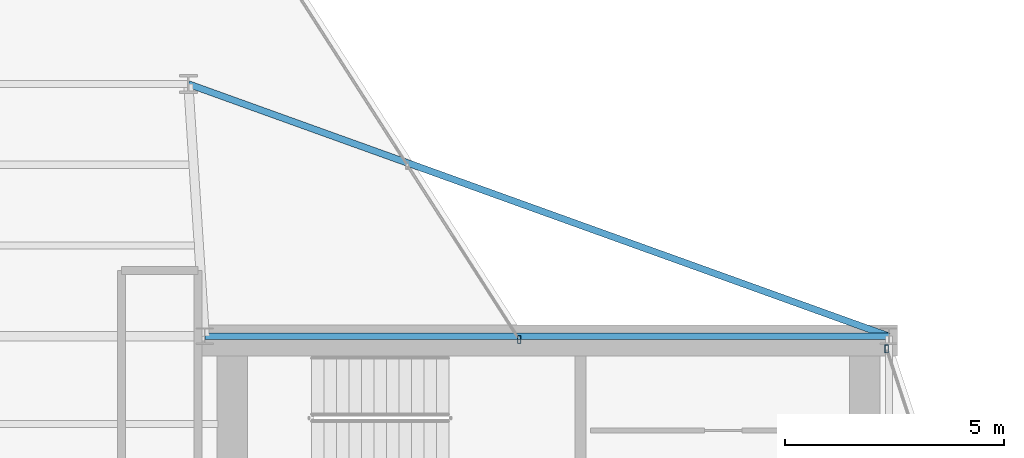
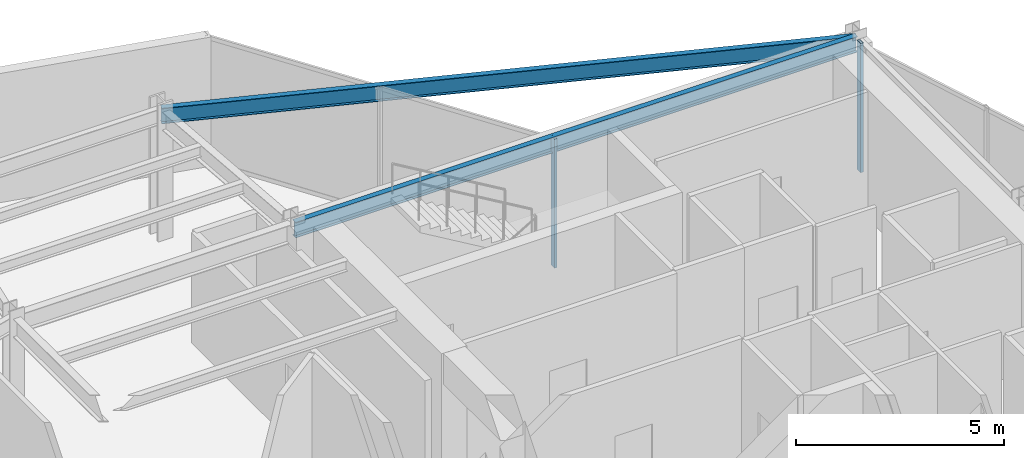
# One storey, part 16 of 23: 2 beams, 2 members, 2 elements without a shape of their own.
"""IFC4 building model written with IfcOpenShell, lengths in metres."""

import ifcopenshell
import ifcopenshell.guid

model = None  # the IFC model being written
_history = None  # IfcOwnerHistory: only IFC2X3 demands one
_inside = {}  # id of a spatial element -> (the spatial element, [elements in it])
_under = {}  # id of a project, library or spatial element -> (it, [spatial elements below it])
_declared = {}  # id of a project -> (the project, [libraries it declares])
_typed = {}  # id of a type object -> (the type object, [elements of that type])
_made_of = {}  # id of a material, layer set ... -> (it, [elements and type objects made of it])


def new_model(schema):
    """Start an empty IFC model of exactly this schema.

    Asked for "IFC4X3", IfcOpenShell would pick the latest addendum, in which some entities
    have other attributes; the version numbers below select the first issue.
    IFC2X3 requires an IfcOwnerHistory on every rooted entity: one is made here for all.
    """
    global model, _history
    if schema == "IFC4X3":
        model = ifcopenshell.file(schema_version=(4, 3, 0, 0))
    else:
        model = ifcopenshell.file(schema=schema)
    _inside.clear()
    _under.clear()
    _declared.clear()
    _typed.clear()
    _made_of.clear()
    _history = None
    if model.schema == "IFC2X3":
        org = make("IfcOrganization", Name="unknown")
        user = make(
            "IfcPersonAndOrganization",
            ThePerson=make("IfcPerson", FamilyName="unknown"),
            TheOrganization=org,
        )
        app = make(
            "IfcApplication",
            ApplicationDeveloper=org,
            Version="unknown",
            ApplicationFullName="unknown",
            ApplicationIdentifier="unknown",
        )
        _history = make(
            "IfcOwnerHistory",
            OwningUser=user,
            OwningApplication=app,
            ChangeAction="ADDED",
            CreationDate=0,
        )
    return model


def make(cls, **values):
    """One entity of the class cls with the attributes given. An attribute that is None is left unset."""
    return model.create_entity(
        cls, **{name: value for name, value in values.items() if value is not None}
    )


def rooted(cls, **values):
    """An entity with a GlobalId (a new one), such as an element, a storey or a relation."""
    return make(cls, GlobalId=ifcopenshell.guid.new(), OwnerHistory=_history, **values)


def si_unit(unit_type, name, prefix=None):
    """IfcSIUnit, for example si_unit("LENGTHUNIT", "METRE", prefix="MILLI")."""
    return make("IfcSIUnit", UnitType=unit_type, Prefix=prefix, Name=name)


def assignment(units):
    """IfcUnitAssignment: the units of a project."""
    return None if units is None else make("IfcUnitAssignment", Units=units)


def point(xyz):
    """IfcCartesianPoint."""
    return None if xyz is None else make("IfcCartesianPoint", Coordinates=xyz)


def direction(xyz):
    """IfcDirection."""
    return None if xyz is None else make("IfcDirection", DirectionRatios=xyz)


def frame(location, z_axis=None, x_axis=None):
    """IfcAxis2Placement3D, a coordinate frame: its origin and axes. An axis left out is left unset."""
    return make(
        "IfcAxis2Placement3D",
        Location=point(location),
        Axis=direction(z_axis),
        RefDirection=direction(x_axis),
    )


def frame_2d(location, x_axis=None):
    """IfcAxis2Placement2D, a coordinate frame in the plane: its origin and x axis."""
    return make(
        "IfcAxis2Placement2D", Location=point(location), RefDirection=direction(x_axis)
    )


def origin():
    """The frame at (0, 0, 0) with its axes left unset."""
    return frame((0.0, 0.0, 0.0))


def origin_2d():
    """The frame at (0, 0) in the plane with its x axis left unset."""
    return frame_2d((0.0, 0.0))


def place(relative_to, where):
    """IfcLocalPlacement: puts the frame where relative to a parent placement (None: the world)."""
    return make(
        "IfcLocalPlacement", PlacementRelTo=relative_to, RelativePlacement=where
    )


def context(
    kind, dimensions, precision=None, world=None, true_north=None, identifier=None
):
    """IfcGeometricRepresentationContext, for example the 3D "Model" context."""
    return make(
        "IfcGeometricRepresentationContext",
        ContextIdentifier=identifier,
        ContextType=kind,
        CoordinateSpaceDimension=dimensions,
        Precision=precision,
        WorldCoordinateSystem=world,
        TrueNorth=true_north,
    )


def subcontext(parent, identifier, kind, view, scale=None):
    """IfcGeometricRepresentationSubContext, for example "Body" below "Model"."""
    return make(
        "IfcGeometricRepresentationSubContext",
        ContextIdentifier=identifier,
        ContextType=kind,
        ParentContext=parent,
        TargetScale=scale,
        TargetView=view,
    )


def project(units=None, contexts=None):
    """IfcProject with its units and contexts."""
    return rooted(
        "IfcProject",
        Name="project",
        RepresentationContexts=contexts,
        UnitsInContext=assignment(units),
    )


def spatial(cls, under=None, at=None, **own):
    """A site, building, storey or space (cls), placed at a placement, below another one or the project."""
    s = rooted(cls, ObjectPlacement=at, **own)
    if under is not None:
        _under.setdefault(under.id(), (under, []))[1].append(s)
    return s


def profile(cls, at=None, kind="AREA", **sizes):
    """A parametric profile (cls). Its sizes go by their IFC names, for example OverallWidth=200.0."""
    return make(cls, ProfileType=kind, Position=at, **sizes)


def hollow_rectangle(**sizes):
    """IfcRectangleHollowProfileDef."""
    return profile("IfcRectangleHollowProfileDef", **sizes)


def i_section(**sizes):
    """IfcIShapeProfileDef."""
    return profile("IfcIShapeProfileDef", **sizes)


def extrude(swept, where, along, depth):
    """IfcExtrudedAreaSolid: the profile swept, set in the frame where, extruded along a direction by depth."""
    return make(
        "IfcExtrudedAreaSolid",
        SweptArea=swept,
        Position=where,
        ExtrudedDirection=direction(along),
        Depth=depth,
    )


def shape(context_of_items, identifier, shape_type, items):
    """IfcShapeRepresentation: the items that make up one representation, for example the "Body"."""
    return make(
        "IfcShapeRepresentation",
        ContextOfItems=context_of_items,
        RepresentationIdentifier=identifier,
        RepresentationType=shape_type,
        Items=items,
    )


def material(Name=None, Category=None):
    """IfcMaterial."""
    return make("IfcMaterial", Name=Name, Category=Category)


def layer(
    of_material, thickness, ventilated=None, Name=None, Category=None, Priority=None
):
    """IfcMaterialLayer: one layer of a wall or slab, of a material (None: an air gap)."""
    return make(
        "IfcMaterialLayer",
        Material=of_material,
        LayerThickness=thickness,
        IsVentilated=ventilated,
        Name=Name,
        Category=Category,
        Priority=Priority,
    )


def layer_set(layers, Name=None):
    """IfcMaterialLayerSet."""
    return make("IfcMaterialLayerSet", MaterialLayers=layers, LayerSetName=Name)


def material_profile(
    of_material, cross_section, Name=None, Category=None, Priority=None
):
    """IfcMaterialProfile: a cross section and its material."""
    return make(
        "IfcMaterialProfile",
        Name=Name,
        Material=of_material,
        Profile=cross_section,
        Priority=Priority,
        Category=Category,
    )


def profile_set(profiles, Name=None, composite=None):
    """IfcMaterialProfileSet."""
    return make(
        "IfcMaterialProfileSet",
        Name=Name,
        MaterialProfiles=profiles,
        CompositeProfile=composite,
    )


def made_of(thing, what):
    """Note that an element or type object is made of a material, layer set ...; save() writes the relation."""
    if what is not None:
        _made_of.setdefault(what.id(), (what, []))[1].append(thing)
    return thing


def type_object(cls, material=None, **own):
    """A type object (cls), such as IfcWallType, which elements share."""
    return made_of(rooted(cls, **own), material)


def element(
    cls,
    number,
    at=None,
    inside=None,
    cuts=None,
    type_object=None,
    material=None,
    context=None,
    identifier="Body",
    shape_type=None,
    held_by="IfcProductDefinitionShape",
    body=None,
    shapes=None,
    **own,
):
    """One element of the class cls, such as IfcWall. Its Tag is "e" and its number.

    at: its placement. inside: the storey or other place that contains it. cuts: it is an
    opening in that element (IfcRelVoidsElement). A single representation is given by context,
    identifier, shape_type and body (its items); several are given by shapes. held_by: the class
    of the entity that holds the representations. save() writes the other relations.
    """
    e = rooted(cls, Tag="e%d" % number, ObjectPlacement=at, **own)
    if body is not None:
        shapes = [shape(context, identifier, shape_type, body)]
    if shapes is not None:
        e.Representation = make(held_by, Representations=shapes)
    if inside is not None:
        _inside.setdefault(inside.id(), (inside, []))[1].append(e)
    if cuts is not None:
        rooted(
            "IfcRelVoidsElement", RelatingBuildingElement=cuts, RelatedOpeningElement=e
        )
    if type_object is not None:
        _typed.setdefault(type_object.id(), (type_object, []))[1].append(e)
    return made_of(e, material)


def aggregate(whole, parts):
    """IfcRelAggregates: a whole, such as a stair, and the parts it consists of."""
    return rooted("IfcRelAggregates", RelatingObject=whole, RelatedObjects=parts)


def save(model, path):
    """Write the relations noted so far, then the file.

    IfcRelAggregates (storeys below a building ...), IfcRelContainedInSpatialStructure (elements
    in a storey), IfcRelDefinesByType, IfcRelAssociatesMaterial and IfcRelDeclares: one each for
    every whole, place, type object, material and project.
    """
    for whole, parts in _under.values():
        aggregate(whole, parts)
    for where, things in _inside.values():
        rooted(
            "IfcRelContainedInSpatialStructure",
            RelatedElements=things,
            RelatingStructure=where,
        )
    for kind, things in _typed.values():
        rooted("IfcRelDefinesByType", RelatedObjects=things, RelatingType=kind)
    for what, things in _made_of.values():
        rooted("IfcRelAssociatesMaterial", RelatedObjects=things, RelatingMaterial=what)
    for by, libraries in _declared.values():
        rooted("IfcRelDeclares", RelatingContext=by, RelatedDefinitions=libraries)
    model.write(path)


model = new_model("IFC4")

# Units and contexts
model_context = context("Model", 3, precision=1e-05, world=origin(), true_north=direction((0.0, 1.0)))
body_context = subcontext(model_context, "Body", "Model", "MODEL_VIEW")
ifc_project = project(units=[si_unit("LENGTHUNIT", "METRE"), si_unit("AREAUNIT", "SQUARE_METRE"), si_unit("VOLUMEUNIT", "CUBIC_METRE"), si_unit("PLANEANGLEUNIT", "RADIAN"), si_unit("MASSUNIT", "GRAM", prefix="KILO")], contexts=[model_context])

# Site, building, storey
site_placement = place(None, origin())
site = spatial("IfcSite", under=ifc_project, at=site_placement, CompositionType="ELEMENT")
building_placement = place(site_placement, origin())
building = spatial("IfcBuilding", under=site, at=building_placement, Name="Veymaron Broadcast Tower", CompositionType="ELEMENT")
storey_placement = place(building_placement, frame((0.0, 0.0, 195.89990234375)))
storey = spatial("IfcBuildingStorey", under=building, at=storey_placement, Name="L45", CompositionType="ELEMENT", Elevation=195.89990234375)

# Beams
ifc_material_1 = material(Name="Structural steel ASTM A992 Gr 50", Category="steel")
ifc_material_profile_1 = material_profile(ifc_material_1, i_section(OverallWidth=0.154052734375, OverallDepth=0.458984375, WebThickness=0.009033203125, FlangeThickness=0.015380859375, at=origin_2d()), Name="W460X68")
ifc_profile_set_1 = profile_set([ifc_material_profile_1], Name="Structural steel ASTM A992 Gr 50")
beam_type = type_object("IfcBeamType", Name="BM-SP2", PredefinedType="SPANDREL", material=ifc_profile_set_1)
beam_1_placement = place(storey_placement, frame((39.0, 32.0, 3.560546875), z_axis=(1.0, 0.0, 0.0), x_axis=(0.0, 1.0, 0.0)))
element("IfcBeam", 1, at=beam_1_placement, inside=storey, type_object=beam_type, Name="L45 primary structural floor girder", PredefinedType="SPANDREL", context=body_context, shape_type="SweptSolid", body=[
    extrude(i_section(OverallWidth=0.154052734375, OverallDepth=0.458984375, WebThickness=0.009033203125, FlangeThickness=0.015380859375, at=origin_2d()), origin(), (0.0, 0.0, 1.0), 15.60009765625),
])
beam_2_placement = place(storey_placement, frame((54.60009765625, 32.0, 3.560546875), z_axis=(-0.940906840948, 0.33866549375, 0.0), x_axis=(-0.33866549375, -0.940906840948, 0.0)))
element("IfcBeam", 2, at=beam_2_placement, inside=storey, type_object=beam_type, Name="L45 primary structural floor girder", PredefinedType="SPANDREL", context=body_context, shape_type="SweptSolid", body=[
    extrude(i_section(OverallWidth=0.154052734375, OverallDepth=0.458984375, WebThickness=0.009033203125, FlangeThickness=0.015380859375, at=origin_2d()), origin(), (0.0, 0.0, 1.0), 16.978515625),
])

# Curtain wall, member
ifc_material_2 = material(Name="Anodised aluminium AA 6063-T6 and laminated low-E dark glass", Category="aluminium")
ifc_layer = layer(ifc_material_2, 0.179931640625)
ifc_layer_set = layer_set([ifc_layer], Name="Anodised aluminium AA 6063-T6 and laminated low-E dark glass")
curtain_wall_type = type_object("IfcCurtainWallType", Name="CW-SYS-05", PredefinedType="NOTDEFINED", material=ifc_layer_set)
curtain_wall_1_placement = place(storey_placement, origin())
curtain_wall_1 = element("IfcCurtainWall", 3, at=curtain_wall_1_placement, inside=storey, type_object=curtain_wall_type, Name="L45 dark-glass curtain wall CW-L45-E3-1", PredefinedType="NOTDEFINED")
ifc_material_3 = material(Name="Anodised aluminium AA 6063-T6", Category="aluminium")
ifc_material_profile_2 = material_profile(ifc_material_3, hollow_rectangle(XDim=0.074951171875, YDim=0.179931640625, WallThickness=0.0048828125, at=origin_2d()), Name="AL180X75X5")
ifc_profile_set_2 = profile_set([ifc_material_profile_2], Name="Anodised aluminium AA 6063-T6")
member_type = type_object("IfcMemberType", Name="CW-MUL-02", PredefinedType="MULLION", material=ifc_profile_set_2)
member_1_placement = place(storey_placement, frame((54.54736328125, 31.711669921875, 0.0), z_axis=(0.0, 0.0, 1.0), x_axis=(1.0, 0.0, 0.0)))
member_1 = element("IfcMember", 4, at=member_1_placement, type_object=member_type, Name="CW-L45-E3-1 mullion 2", PredefinedType="MULLION", context=body_context, shape_type="SweptSolid", body=[
    extrude(hollow_rectangle(XDim=0.074951171875, YDim=0.179931640625, WallThickness=0.0048828125, at=origin_2d()), origin(), (0.0, 0.0, 1.0), 3.7900390625),
])
aggregate(curtain_wall_1, [member_1])

curtain_wall_2_placement = place(storey_placement, origin())
curtain_wall_2 = element("IfcCurtainWall", 5, at=curtain_wall_2_placement, inside=storey, type_object=curtain_wall_type, Name="L45 dark-glass curtain wall CW-L45-E5-1", PredefinedType="NOTDEFINED")
member_2_placement = place(storey_placement, frame((46.1689453125, 31.92431640625, 0.0), z_axis=(0.0, 0.0, 1.0), x_axis=(1.0, 0.0, 0.0)))
member_2 = element("IfcMember", 6, at=member_2_placement, type_object=member_type, Name="CW-L45-E5-1 mullion 0", PredefinedType="MULLION", context=body_context, shape_type="SweptSolid", body=[
    extrude(hollow_rectangle(XDim=0.074951171875, YDim=0.179931640625, WallThickness=0.0048828125, at=origin_2d()), origin(), (0.0, 0.0, 1.0), 3.7900390625),
])
aggregate(curtain_wall_2, [member_2])

save(model, "model.ifc")
